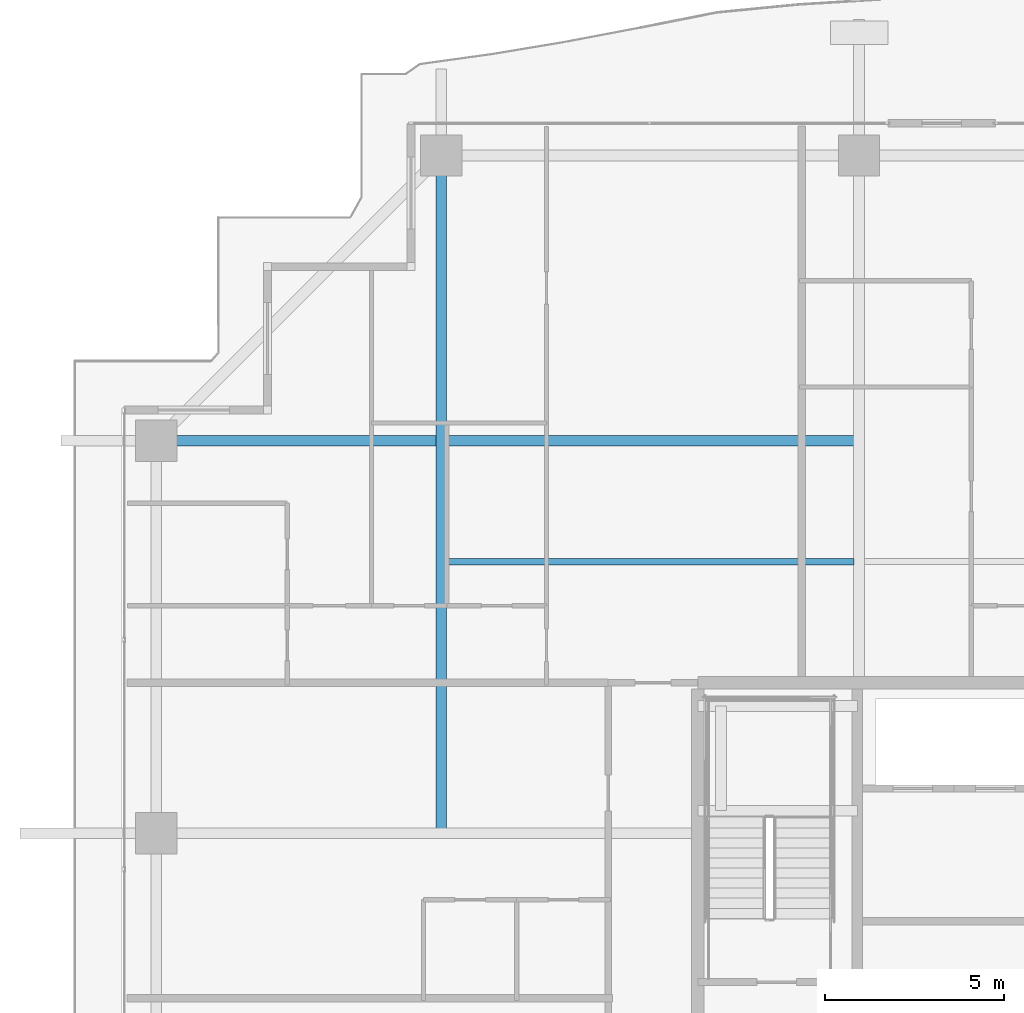
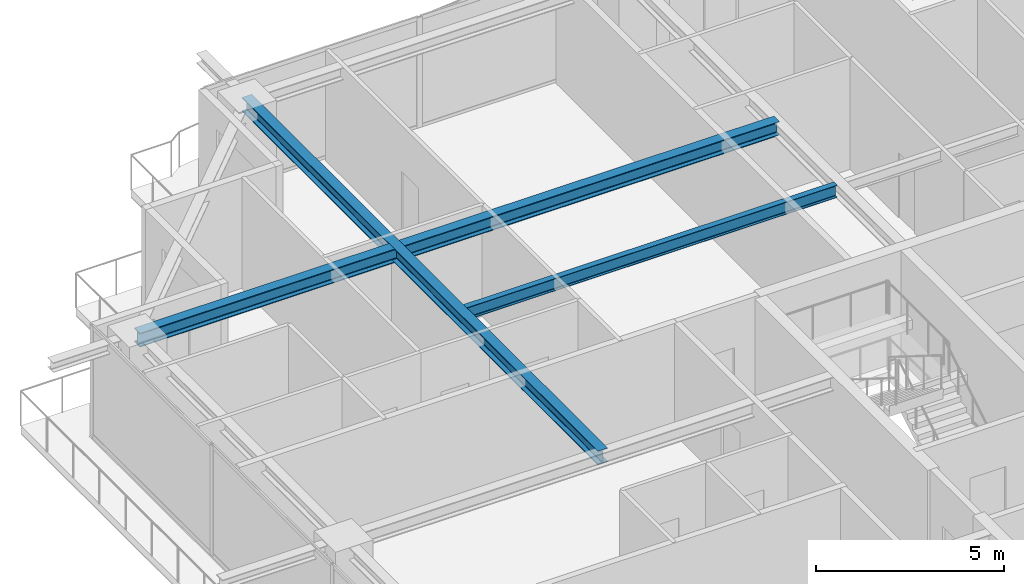
# One storey, part 17 of 37: 3 beams.
"""IFC4 building model written with IfcOpenShell, lengths in metres."""

from ifc_helpers import new_model, si_unit, direction, frame, origin, origin_2d, place, context, subcontext, project, spatial, i_section, extrude, source, transform, mapped, material, material_profile, profile_set, type_object, element, save


model = new_model("IFC4")

# Units and contexts
model_context = context("Model", 3, precision=1e-05, world=origin(), true_north=direction((0.0, 1.0)))
body_context = subcontext(model_context, "Body", "Model", "MODEL_VIEW")
ifc_project = project(units=[si_unit("LENGTHUNIT", "METRE"), si_unit("AREAUNIT", "SQUARE_METRE"), si_unit("VOLUMEUNIT", "CUBIC_METRE"), si_unit("PLANEANGLEUNIT", "RADIAN"), si_unit("MASSUNIT", "GRAM", prefix="KILO")], contexts=[model_context])

# Site, building, storey
site_placement = place(None, origin())
site = spatial("IfcSite", under=ifc_project, at=site_placement, CompositionType="ELEMENT")
building_placement = place(site_placement, origin())
building = spatial("IfcBuilding", under=site, at=building_placement, Name="Serunith Strait Residences", CompositionType="ELEMENT")
storey_placement = place(building_placement, frame((0.0, 0.0, 248.949951171875)))
storey = spatial("IfcBuildingStorey", under=building, at=storey_placement, Name="L62", CompositionType="ELEMENT", Elevation=248.949951171875)

# Beams
ifc_material = material(Name="Steel S355J2", Category="steel")
ifc_material_profile_1 = material_profile(ifc_material, i_section(OverallWidth=0.300048828125, OverallDepth=0.449951171875, WebThickness=0.013916015625, FlangeThickness=0.02587890625, FilletRadius=0.027099609375, at=origin_2d()), Name="HEB 450")
ifc_profile_set_1 = profile_set([ifc_material_profile_1], Name="Steel S355J2")
beam_type_1 = type_object("IfcBeamType", Name="BM-HEB450", PredefinedType="BEAM", material=ifc_profile_set_1)
shared_shape_1 = source(origin(), body_context, "Body", "SweptSolid", [
    extrude(i_section(OverallWidth=0.300048828125, OverallDepth=0.449951171875, WebThickness=0.013916015625, FlangeThickness=0.02587890625, FilletRadius=0.027099609375, at=origin_2d()), origin(), (0.0, 0.0, 1.0), 18.900146484375),
])
beam_1_placement = place(storey_placement, frame((16.25, 29.39990234375, 3.362060546875), z_axis=(0.0, 1.0, 0.0), x_axis=(-1.0, 0.0, 0.0)))
element("IfcBeam", 1, at=beam_1_placement, inside=storey, type_object=beam_type_1, Name="L62 Orthogonal Corner Girder TC-N1", PredefinedType="BEAM", context=body_context, shape_type="MappedRepresentation", body=[
    mapped(shared_shape_1, transform((0.0, 0.0, 0.0), scale=1.0)),
])
shared_shape_2 = source(origin(), body_context, "Body", "SweptSolid", [
    extrude(i_section(OverallWidth=0.300048828125, OverallDepth=0.449951171875, WebThickness=0.013916015625, FlangeThickness=0.02587890625, FilletRadius=0.027099609375, at=origin_2d()), origin(), (0.0, 0.0, 1.0), 19.599853515625),
])
beam_2_placement = place(storey_placement, frame((27.89990234375, 40.35009765625, 3.362060546875), z_axis=(-1.0, 0.0, 0.0), x_axis=(0.0, -1.0, 0.0)))
element("IfcBeam", 2, at=beam_2_placement, inside=storey, type_object=beam_type_1, Name="L62 Orthogonal Corner Girder TC-W4", PredefinedType="BEAM", context=body_context, shape_type="MappedRepresentation", body=[
    mapped(shared_shape_2, transform((0.0, 0.0, 0.0), scale=1.0)),
])
ifc_material_profile_2 = material_profile(ifc_material, i_section(OverallWidth=0.179931640625, OverallDepth=0.39990234375, WebThickness=0.008544921875, FlangeThickness=0.013427734375, FilletRadius=0.02099609375, at=origin_2d()), Name="IPE 400")
ifc_profile_set_2 = profile_set([ifc_material_profile_2], Name="Steel S355J2")
beam_type_2 = type_object("IfcBeamType", Name="BM-IPE400", PredefinedType="JOIST", material=ifc_profile_set_2)
shared_shape_3 = source(origin(), body_context, "Body", "SweptSolid", [
    extrude(i_section(OverallWidth=0.179931640625, OverallDepth=0.39990234375, WebThickness=0.008544921875, FlangeThickness=0.013427734375, FilletRadius=0.02099609375, at=origin_2d()), origin(), (0.0, 0.0, 1.0), 11.35009765625),
])
beam_3_placement = place(storey_placement, frame((16.39990234375, 36.97509765625, 3.386962890625), z_axis=(1.0, 0.0, 0.0), x_axis=(0.0, 1.0, 0.0)))
element("IfcBeam", 3, at=beam_3_placement, inside=storey, type_object=beam_type_2, Name="L62 Composite Floor Joist 04", PredefinedType="JOIST", context=body_context, shape_type="MappedRepresentation", body=[
    mapped(shared_shape_3, transform((0.0, 0.0, 0.0), scale=1.0)),
])

save(model, "model.ifc")
